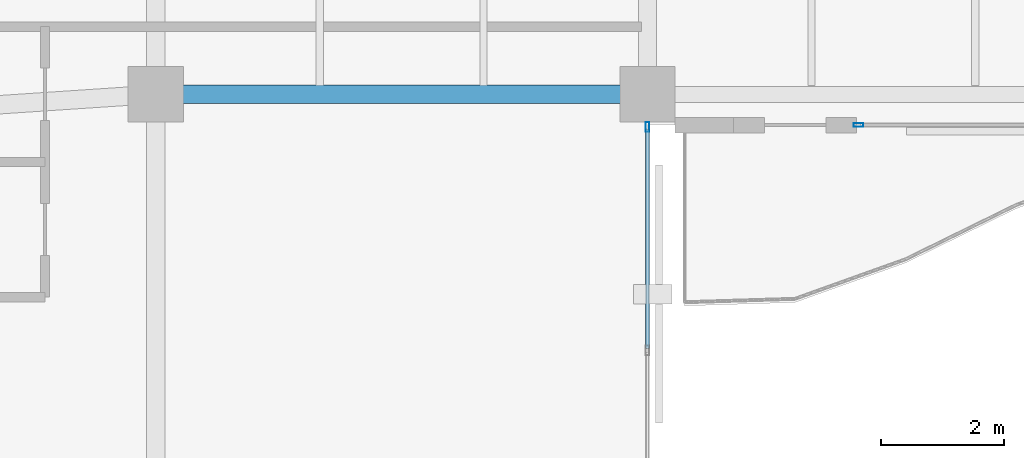
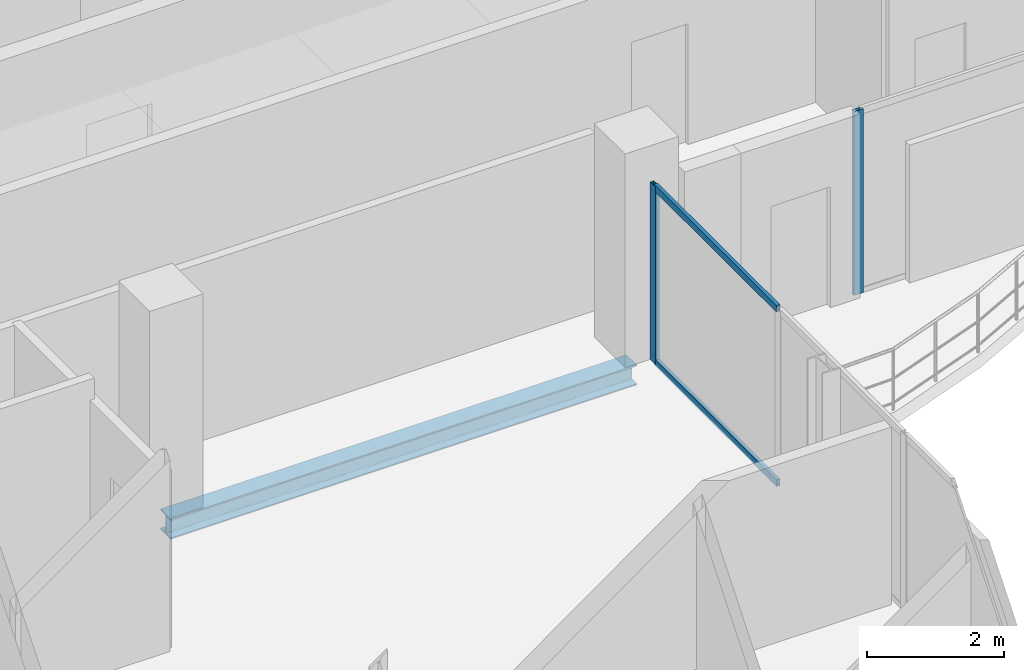
# One storey, part 8 of 23: 4 members, 1 beam, 2 elements without a shape of their own.
"""IFC4 building model written with IfcOpenShell, lengths in metres."""

from ifc_helpers import new_model, si_unit, direction, frame, origin, origin_2d, place, context, subcontext, project, spatial, hollow_rectangle, i_section, extrude, material, layer, layer_set, material_profile, profile_set, type_object, element, aggregate, save


model = new_model("IFC4")

# Units and contexts
model_context = context("Model", 3, precision=1e-05, world=origin(), true_north=direction((0.0, 1.0)))
body_context = subcontext(model_context, "Body", "Model", "MODEL_VIEW")
ifc_project = project(units=[si_unit("LENGTHUNIT", "METRE"), si_unit("AREAUNIT", "SQUARE_METRE"), si_unit("VOLUMEUNIT", "CUBIC_METRE"), si_unit("PLANEANGLEUNIT", "RADIAN"), si_unit("MASSUNIT", "GRAM", prefix="KILO")], contexts=[model_context])

# Site, building, storey
site_placement = place(None, origin())
site = spatial("IfcSite", under=ifc_project, at=site_placement, CompositionType="ELEMENT")
building_placement = place(site_placement, origin())
building = spatial("IfcBuilding", under=site, at=building_placement, Name="Catumbela Crestline Tower", CompositionType="ELEMENT")
storey_placement = place(building_placement, frame((0.0, 0.0, 245.0)))
storey = spatial("IfcBuildingStorey", under=building, at=storey_placement, Name="L63", CompositionType="ELEMENT", Elevation=245.0)

# Beam
ifc_material_1 = material(Name="Structural steel S355J2", Category="steel")
ifc_material_profile_1 = material_profile(ifc_material_1, i_section(OverallWidth=0.3, OverallDepth=0.36, WebThickness=0.0125, FlangeThickness=0.0225, FilletRadius=0.027, at=origin_2d()), Name="HEB 360")
ifc_profile_set_1 = profile_set([ifc_material_profile_1], Name="Structural steel S355J2")
beam_type = type_object("IfcBeamType", Name="BG-HEB360", PredefinedType="BEAM", material=ifc_profile_set_1)
beam_placement = place(storey_placement, frame((16.08, 24.5, -0.44), z_axis=(1.0, 0.0, 0.0), x_axis=(0.0, 1.0, 0.0)))
element("IfcBeam", 1, at=beam_placement, inside=storey, type_object=beam_type, Name="L63 Beam BM-L63-S03", PredefinedType="BEAM", context=body_context, shape_type="SweptSolid", body=[
    extrude(i_section(OverallWidth=0.3, OverallDepth=0.36, WebThickness=0.0125, FlangeThickness=0.0225, FilletRadius=0.027, at=origin_2d()), origin(), (0.0, 0.0, 1.0), 7.84),
])

# Curtain wall, member
ifc_material_2 = material(Name="Aluminium alloy AW-6060-T66", Category="aluminium")
ifc_layer = layer(ifc_material_2, 0.18, Name="Aluminium alloy AW-6060-T66")
ifc_layer_set = layer_set([ifc_layer], Name="Aluminium alloy AW-6060-T66")
curtain_wall_type = type_object("IfcCurtainWallType", Name="CWU-Z4", PredefinedType="USERDEFINED", material=ifc_layer_set)
curtain_wall_1_placement = place(storey_placement, origin())
curtain_wall_1 = element("IfcCurtainWall", 2, at=curtain_wall_1_placement, inside=storey, type_object=curtain_wall_type, Name="L63 Unitised Curtain Wall CW-L63-E2S1", ObjectType="UNITISED", PredefinedType="USERDEFINED")
ifc_material_profile_2 = material_profile(ifc_material_2, hollow_rectangle(XDim=0.06, YDim=0.16, WallThickness=0.004, at=origin_2d()), Name="ALU 160x60x4")
ifc_profile_set_2 = profile_set([ifc_material_profile_2], Name="Aluminium alloy AW-6060-T66")
member_type_1 = type_object("IfcMemberType", Name="MUL-160X60", PredefinedType="MULLION", material=ifc_profile_set_2)
member_1_placement = place(storey_placement, frame((24.0, 23.9675, 0.0), z_axis=(0.0, 0.0, 1.0), x_axis=(-1.0, 0.0, 0.0)))
member_1 = element("IfcMember", 3, at=member_1_placement, type_object=member_type_1, Name="CWU-Z4 mullion 4", PredefinedType="MULLION", context=body_context, shape_type="SweptSolid", body=[
    extrude(hollow_rectangle(XDim=0.06, YDim=0.16, WallThickness=0.004, at=origin_2d()), origin(), (0.0, 0.0, 1.0), 3.16),
])

curtain_wall_2_placement = place(storey_placement, origin())
curtain_wall_2 = element("IfcCurtainWall", 4, at=curtain_wall_2_placement, inside=storey, type_object=curtain_wall_type, Name="L63 Unitised Curtain Wall CW-L63-E3S2", ObjectType="UNITISED", PredefinedType="USERDEFINED")
member_2_placement = place(storey_placement, frame((27.4325, 24.0, 0.0), z_axis=(0.0, 0.0, 1.0), x_axis=(0.0, 1.0, 0.0)))
member_2 = element("IfcMember", 5, at=member_2_placement, type_object=member_type_1, Name="CWU-Z4 mullion 1", PredefinedType="MULLION", context=body_context, shape_type="SweptSolid", body=[
    extrude(hollow_rectangle(XDim=0.06, YDim=0.16, WallThickness=0.004, at=origin_2d()), origin(), (0.0, 0.0, 1.0), 3.27),
])
aggregate(curtain_wall_2, [member_2])

# Member
ifc_material_profile_3 = material_profile(ifc_material_2, hollow_rectangle(XDim=0.06, YDim=0.12, WallThickness=0.0035, at=origin_2d()), Name="ALU 120x60x3.5")
ifc_profile_set_3 = profile_set([ifc_material_profile_3], Name="Aluminium alloy AW-6060-T66")
member_type_2 = type_object("IfcMemberType", Name="TRN-120X60", PredefinedType="USERDEFINED", material=ifc_profile_set_3)
member_3_placement = place(storey_placement, frame((24.0, 20.3658, 0.03), z_axis=(0.0, 1.0, 0.0), x_axis=(-1.0, 0.0, 0.0)))
member_3 = element("IfcMember", 6, at=member_3_placement, type_object=member_type_2, Name="CWU-Z4 transom 3.1", ObjectType="TRANSOM", PredefinedType="USERDEFINED", context=body_context, shape_type="SweptSolid", body=[
    extrude(hollow_rectangle(XDim=0.06, YDim=0.12, WallThickness=0.0035, at=origin_2d()), origin(), (0.0, 0.0, 1.0), 3.5692),
])

member_4_placement = place(storey_placement, frame((24.0, 20.3658, 3.13), z_axis=(0.0, 1.0, 0.0), x_axis=(-1.0, 0.0, 0.0)))
member_4 = element("IfcMember", 7, at=member_4_placement, type_object=member_type_2, Name="CWU-Z4 transom 3.2", ObjectType="TRANSOM", PredefinedType="USERDEFINED", context=body_context, shape_type="SweptSolid", body=[
    extrude(hollow_rectangle(XDim=0.06, YDim=0.12, WallThickness=0.0035, at=origin_2d()), origin(), (0.0, 0.0, 1.0), 3.5692),
])

aggregate(curtain_wall_1, [member_1, member_3, member_4])

save(model, "model.ifc")
